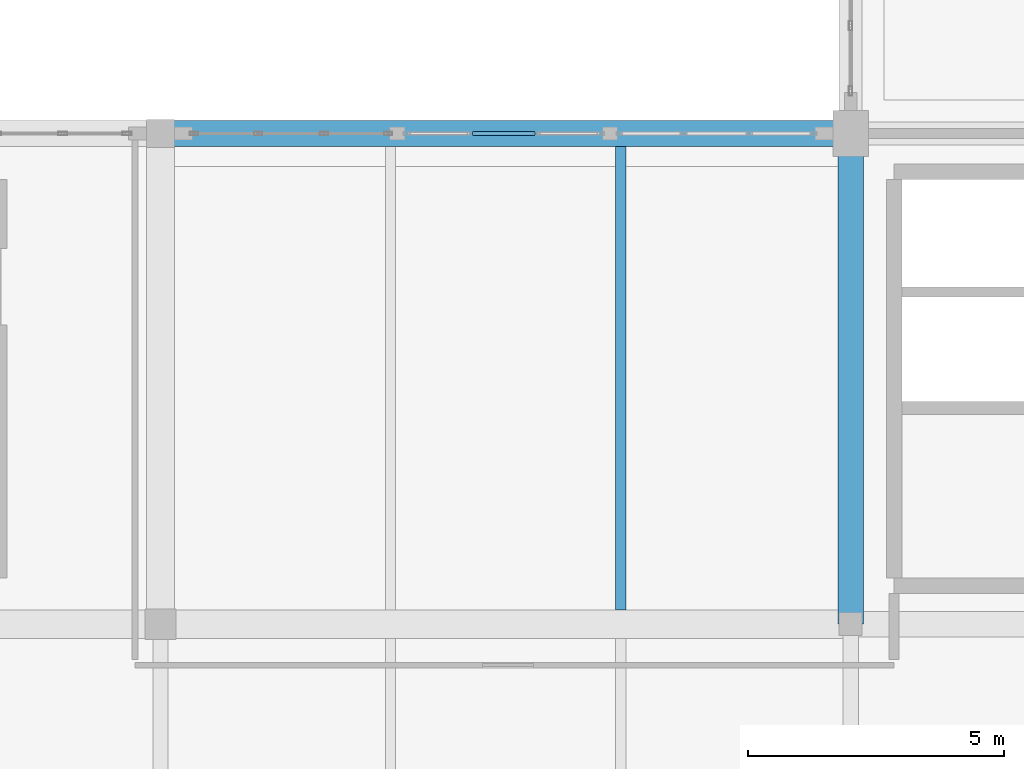
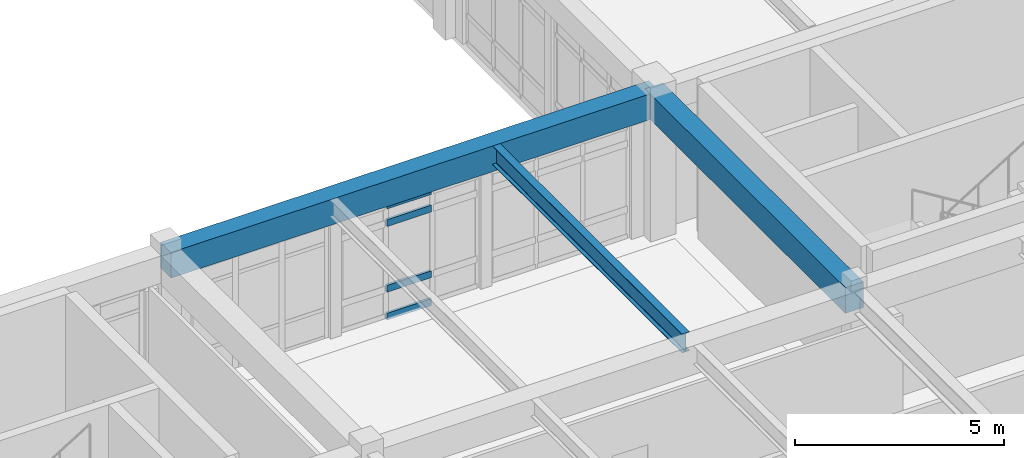
# One storey, part 9 of 109: 4 members, 3 beams, 1 element without a shape of its own.
"""IFC4 building model written with IfcOpenShell, lengths in metres."""

from ifc_helpers import new_model, si_unit, direction, frame, origin, origin_2d, place, context, subcontext, project, spatial, rectangle, hollow_rectangle, i_section, extrude, material, layer, layer_set, material_profile, profile_set, type_object, element, aggregate, save


model = new_model("IFC4")

# Units and contexts
model_context = context("Model", 3, precision=1e-05, world=origin(), true_north=direction((0.0, 1.0)))
body_context = subcontext(model_context, "Body", "Model", "MODEL_VIEW")
ifc_project = project(units=[si_unit("LENGTHUNIT", "METRE"), si_unit("AREAUNIT", "SQUARE_METRE"), si_unit("VOLUMEUNIT", "CUBIC_METRE"), si_unit("PLANEANGLEUNIT", "RADIAN"), si_unit("MASSUNIT", "GRAM", prefix="KILO")], contexts=[model_context])

# Site, building, storey
site_placement = place(None, origin())
site = spatial("IfcSite", under=ifc_project, at=site_placement, CompositionType="ELEMENT")
building_placement = place(site_placement, origin())
building = spatial("IfcBuilding", under=site, at=building_placement, Name="Fikremerkos Civic Library", CompositionType="ELEMENT")
storey_placement = place(building_placement, frame((0.0, 0.0, 5.39990234375)))
storey = spatial("IfcBuildingStorey", under=building, at=storey_placement, Name="L01", CompositionType="ELEMENT", Elevation=5.39990234375)

# Curtain wall, members
ifc_material_1 = material(Name="Anodized aluminium Frame", Category="aluminium")
ifc_layer = layer(ifc_material_1, 0.159912109375, Name="Anodized aluminium Frame")
ifc_layer_set = layer_set([ifc_layer], Name="Anodized aluminium Frame")
curtain_wall_type = type_object("IfcCurtainWallType", Name="Unitised curtain wall CW-07 3500x4100", PredefinedType="USERDEFINED", material=ifc_layer_set)
curtain_wall_placement = place(storey_placement, origin())
curtain_wall = element("IfcCurtainWall", 1, at=curtain_wall_placement, inside=storey, type_object=curtain_wall_type, Name="Unitised curtain wall CW-07 L01 #79", ObjectType="UNITISED CURTAIN WALL", PredefinedType="USERDEFINED")
ifc_material_profile_1 = material_profile(ifc_material_1, hollow_rectangle(XDim=0.070068359375, YDim=0.199951171875, WallThickness=0.0048828125, at=origin_2d()), Name="ALU 200x70x5")
ifc_profile_set_1 = profile_set([ifc_material_profile_1], Name="Anodized aluminium Frame")
member_type = type_object("IfcMemberType", Name="Curtain transom CWT-04 ALU 200x70x5", PredefinedType="USERDEFINED", material=ifc_profile_set_1)
member_1_placement = place(storey_placement, frame((38.79931640625, 31.199951171875, 0.03515625), z_axis=(1.0, 0.0, 0.0), x_axis=(0.0, 1.0, 0.0)))
member_1 = element("IfcMember", 2, at=member_1_placement, type_object=member_type, Name="CW-07 transom 2.1", ObjectType="TRANSOM", PredefinedType="USERDEFINED", context=body_context, shape_type="SweptSolid", body=[
    extrude(hollow_rectangle(XDim=0.070068359375, YDim=0.199951171875, WallThickness=0.0048828125, at=origin_2d()), origin(), (0.0, 0.0, 1.0), 1.2265625),
])
member_2_placement = place(storey_placement, frame((38.79931640625, 31.199951171875, 0.85009765625), z_axis=(1.0, 0.0, 0.0), x_axis=(0.0, 1.0, 0.0)))
member_2 = element("IfcMember", 3, at=member_2_placement, type_object=member_type, Name="CW-07 transom 2.2", ObjectType="TRANSOM", PredefinedType="USERDEFINED", context=body_context, shape_type="SweptSolid", body=[
    extrude(hollow_rectangle(XDim=0.070068359375, YDim=0.199951171875, WallThickness=0.0048828125, at=origin_2d()), origin(), (0.0, 0.0, 1.0), 1.2265625),
])
member_3_placement = place(storey_placement, frame((38.79931640625, 31.199951171875, 2.77001953125), z_axis=(1.0, 0.0, 0.0), x_axis=(0.0, 1.0, 0.0)))
member_3 = element("IfcMember", 4, at=member_3_placement, type_object=member_type, Name="CW-07 transom 2.3", ObjectType="TRANSOM", PredefinedType="USERDEFINED", context=body_context, shape_type="SweptSolid", body=[
    extrude(hollow_rectangle(XDim=0.070068359375, YDim=0.199951171875, WallThickness=0.0048828125, at=origin_2d()), origin(), (0.0, 0.0, 1.0), 1.2265625),
])
member_4_placement = place(storey_placement, frame((38.79931640625, 31.199951171875, 3.28515625), z_axis=(1.0, 0.0, 0.0), x_axis=(0.0, 1.0, 0.0)))
member_4 = element("IfcMember", 5, at=member_4_placement, type_object=member_type, Name="CW-07 transom 2.4", ObjectType="TRANSOM", PredefinedType="USERDEFINED", context=body_context, shape_type="SweptSolid", body=[
    extrude(hollow_rectangle(XDim=0.070068359375, YDim=0.199951171875, WallThickness=0.0048828125, at=origin_2d()), origin(), (0.0, 0.0, 1.0), 1.2265625),
])
aggregate(curtain_wall, [member_1, member_2, member_3, member_4])

# Beams
ifc_material_2 = material(Name="Steel S355", Category="steel")
ifc_material_profile_2 = material_profile(ifc_material_2, i_section(OverallWidth=0.2099609375, OverallDepth=0.550048828125, WebThickness=0.010986328125, FlangeThickness=0.01708984375, FilletRadius=0.02392578125, at=origin_2d()), Name="IPE 550")
ifc_profile_set_2 = profile_set([ifc_material_profile_2], Name="Steel S355")
beam_type_1 = type_object("IfcBeamType", Name="Floor joist JS-05 IPE 550", PredefinedType="JOIST", material=ifc_profile_set_2)
beam_1_placement = place(storey_placement, frame((41.699951171875, 21.875, 3.905029296875), z_axis=(0.0, 1.0, 0.0), x_axis=(-1.0, 0.0, 0.0)))
element("IfcBeam", 6, at=beam_1_placement, inside=storey, type_object=beam_type_1, Name="Floor joist JS-05 L01 #417", PredefinedType="JOIST", context=body_context, shape_type="SweptSolid", body=[
    extrude(i_section(OverallWidth=0.2099609375, OverallDepth=0.550048828125, WebThickness=0.010986328125, FlangeThickness=0.01708984375, FilletRadius=0.02392578125, at=origin_2d()), origin(), (0.0, 0.0, 1.0), 9.074951171875),
])
ifc_material_3 = material(Name="Concrete C40/50", Category="concrete")
ifc_material_profile_3 = material_profile(ifc_material_3, rectangle(XDim=0.5, YDim=0.75, at=origin_2d()), Name="RC 500x750")
ifc_profile_set_3 = profile_set([ifc_material_profile_3], Name="Concrete C40/50")
beam_type_2 = type_object("IfcBeamType", Name="Primary girder BM-05 RC 500x750", PredefinedType="BEAM", material=ifc_profile_set_3)
beam_2_placement = place(storey_placement, frame((32.699951171875, 31.199951171875, 3.80517578125), z_axis=(1.0, 0.0, 0.0), x_axis=(0.0, 1.0, 0.0)))
element("IfcBeam", 7, at=beam_2_placement, inside=storey, type_object=beam_type_2, Name="Primary girder BM-05 L01 grid G", PredefinedType="BEAM", context=body_context, shape_type="SweptSolid", body=[
    extrude(rectangle(XDim=0.5, YDim=0.75, at=origin_2d()), origin(), (0.0, 0.0, 1.0), 13.5),
])
beam_3_placement = place(storey_placement, frame((46.199951171875, 21.60009765625, 3.80517578125), z_axis=(0.0, 1.0, 0.0), x_axis=(-1.0, 0.0, 0.0)))
element("IfcBeam", 8, at=beam_3_placement, inside=storey, type_object=beam_type_2, Name="Primary girder BM-05 L01 grid 5", PredefinedType="BEAM", context=body_context, shape_type="SweptSolid", body=[
    extrude(rectangle(XDim=0.5, YDim=0.75, at=origin_2d()), origin(), (0.0, 0.0, 1.0), 9.599853515625),
])

save(model, "model.ifc")
